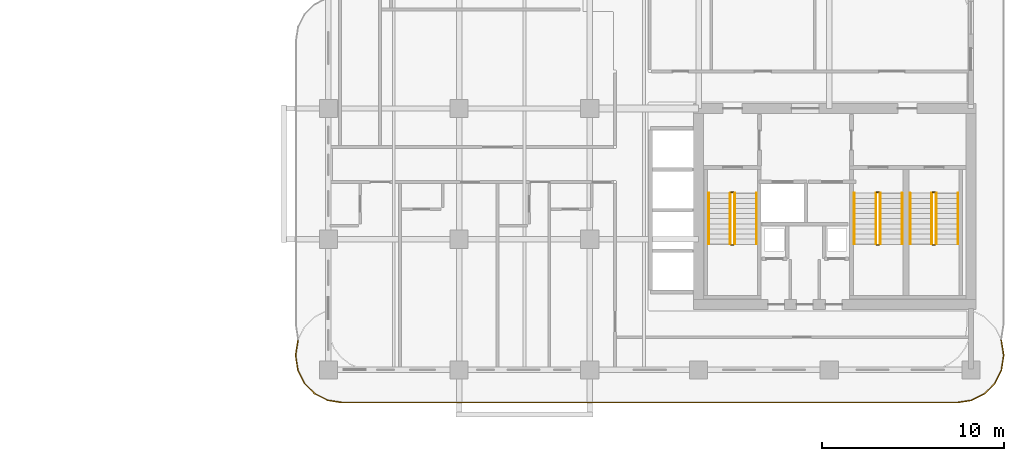
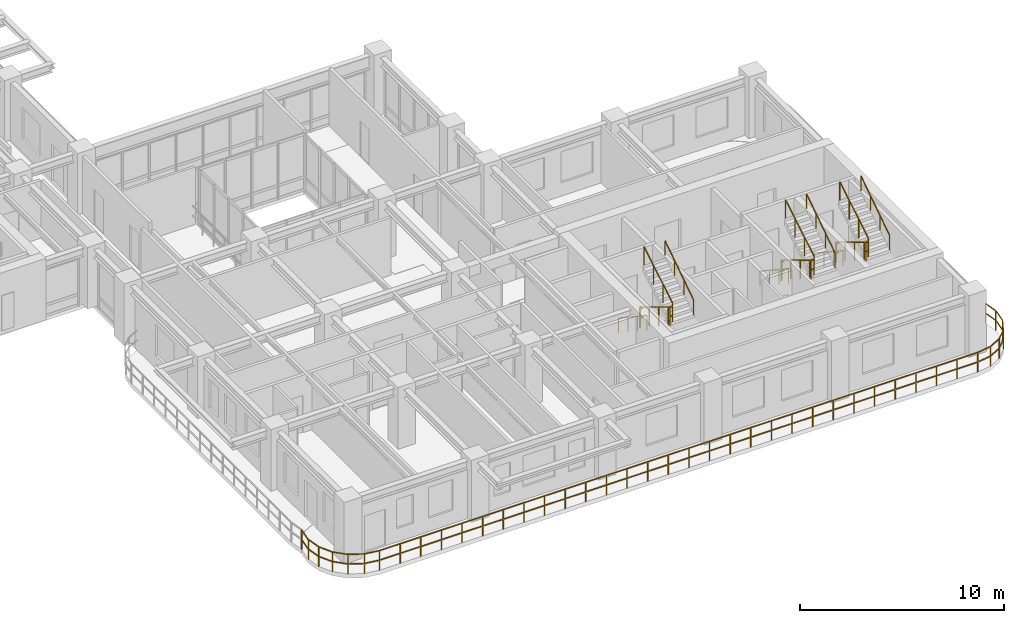
# One storey, part 18 of 20: 19 railings.
"""IFC4 building model written with IfcOpenShell, lengths in metres."""

from ifc_helpers import new_model, si_unit, derived_unit, direction, frame, origin, origin_2d, place, context, subcontext, project, spatial, rectangle, extrude, material, type_object, element, save


model = new_model("IFC4")

# Units and contexts
model_context = context("Model", 3, precision=1e-05, world=origin(), true_north=direction((0.0, 1.0)))
body_context = subcontext(model_context, "Body", "Model", "MODEL_VIEW")
ifc_project = project(units=[si_unit("LENGTHUNIT", "METRE"), si_unit("AREAUNIT", "SQUARE_METRE"), si_unit("VOLUMEUNIT", "CUBIC_METRE"), si_unit("PLANEANGLEUNIT", "RADIAN"), si_unit("MASSUNIT", "GRAM", prefix="KILO"), si_unit("THERMODYNAMICTEMPERATUREUNIT", "KELVIN"), si_unit("POWERUNIT", "WATT"), derived_unit("THERMALTRANSMITTANCEUNIT", [(si_unit("POWERUNIT", "WATT"), 1), (si_unit("AREAUNIT", "SQUARE_METRE"), -1), (si_unit("THERMODYNAMICTEMPERATUREUNIT", "KELVIN"), -1)])], contexts=[model_context])

# Site, building, storey
site_placement = place(None, origin())
site = spatial("IfcSite", under=ifc_project, at=site_placement, CompositionType="ELEMENT")
building_placement = place(site_placement, origin())
building = spatial("IfcBuilding", under=site, at=building_placement, Name="Zahravan Archway Hotel and Residences", CompositionType="ELEMENT")
storey_placement = place(building_placement, frame((0.0, 0.0, 126.60009765625)))
storey = spatial("IfcBuildingStorey", under=building, at=storey_placement, Name="L31", CompositionType="ELEMENT", Elevation=126.60009765625)

# Railings
ifc_material_1 = material(Name="Bronze & Laminated Glass Balustrade", Category="glass")
railing_type_1 = type_object("IfcRailingType", Name="RL-BAL-1200", PredefinedType="BALUSTRADE", material=ifc_material_1)
railing_1_placement = place(storey_placement, frame((51.47509765625, 1.637939453125, 0.0)))
element("IfcRailing", 1, at=railing_1_placement, inside=storey, type_object=railing_type_1, Name="L31 Balustrade RL-SLB-BAL-L31-SA-1", PredefinedType="BALUSTRADE", context=body_context, shape_type="SweptSolid", body=[
    extrude(rectangle(XDim=0.048095703125, YDim=0.048095703125, at=origin_2d()), frame((0.0, 0.0, 1.17578125), z_axis=(0.156701202656, -0.987646056584, 0.0), x_axis=(0.987646056584, 0.156701202656, 0.0)), (0.0, 0.0, 1.0), 0.797607421875),
    extrude(rectangle(XDim=0.048095703125, YDim=0.048095703125, at=origin_2d()), frame((0.0, 0.0, 0.60009765625), z_axis=(0.156701202656, -0.987646056584, 0.0), x_axis=(0.987646056584, 0.156701202656, 0.0)), (0.0, 0.0, 1.0), 0.797607421875),
    extrude(rectangle(XDim=0.048095703125, YDim=0.048095703125, at=origin_2d()), frame((0.125, -0.787841796875, 1.17578125), z_axis=(0.0, -1.0, 0.0), x_axis=(1.0, 0.0, 0.0)), (0.0, 0.0, 1.0), 0.10009765625),
    extrude(rectangle(XDim=0.048095703125, YDim=0.048095703125, at=origin_2d()), frame((0.125, -0.787841796875, 0.60009765625), z_axis=(0.0, -1.0, 0.0), x_axis=(1.0, 0.0, 0.0)), (0.0, 0.0, 1.0), 0.10009765625),
    extrude(rectangle(XDim=0.048095703125, YDim=0.048095703125, at=origin_2d()), frame((0.125, -0.887939453125, 1.17578125), z_axis=(-0.156653849773, -0.98765356849, 0.0), x_axis=(0.98765356849, -0.156653849773, 0.0)), (0.0, 0.0, 1.0), 0.7978515625),
    extrude(rectangle(XDim=0.048095703125, YDim=0.048095703125, at=origin_2d()), frame((0.125, -0.887939453125, 0.60009765625), z_axis=(-0.156653849773, -0.98765356849, 0.0), x_axis=(0.98765356849, -0.156653849773, 0.0)), (0.0, 0.0, 1.0), 0.7978515625),
    extrude(rectangle(XDim=0.048095703125, YDim=0.048095703125, at=origin_2d()), frame((0.0, -1.676025390625, 1.17578125), z_axis=(-0.453934952053, -0.891034824967, 0.0), x_axis=(0.891034824967, -0.453934952053, 0.0)), (0.0, 0.0, 1.0), 0.797607421875),
    extrude(rectangle(XDim=0.048095703125, YDim=0.048095703125, at=origin_2d()), frame((0.0, -1.676025390625, 0.60009765625), z_axis=(-0.453934952053, -0.891034824967, 0.0), x_axis=(0.891034824967, -0.453934952053, 0.0)), (0.0, 0.0, 1.0), 0.797607421875),
    extrude(rectangle(XDim=0.048095703125, YDim=0.048095703125, at=origin_2d()), frame((-0.362060546875, -2.38671875, 1.17578125), z_axis=(-0.707106781187, -0.707106781187, 0.0), x_axis=(0.707106781187, -0.707106781187, 0.0)), (0.0, 0.0, 1.0), 0.7978515625),
    extrude(rectangle(XDim=0.048095703125, YDim=0.048095703125, at=origin_2d()), frame((-0.362060546875, -2.38671875, 0.60009765625), z_axis=(-0.707106781187, -0.707106781187, 0.0), x_axis=(0.707106781187, -0.707106781187, 0.0)), (0.0, 0.0, 1.0), 0.7978515625),
    extrude(rectangle(XDim=0.048095703125, YDim=0.048095703125, at=origin_2d()), frame((-0.92626953125, -2.950927734375, 1.17578125), z_axis=(-0.890974108706, -0.454054113091, 0.0), x_axis=(0.454054113091, -0.890974108706, 0.0)), (0.0, 0.0, 1.0), 0.7978515625),
    extrude(rectangle(XDim=0.048095703125, YDim=0.048095703125, at=origin_2d()), frame((-0.92626953125, -2.950927734375, 0.60009765625), z_axis=(-0.890974108706, -0.454054113091, 0.0), x_axis=(0.454054113091, -0.890974108706, 0.0)), (0.0, 0.0, 1.0), 0.7978515625),
    extrude(rectangle(XDim=0.048095703125, YDim=0.048095703125, at=origin_2d()), frame((-1.63720703125, -3.313232421875, 1.17578125), z_axis=(-0.987693380745, -0.156402639467, 0.0), x_axis=(0.156402639467, -0.987693380745, 0.0)), (0.0, 0.0, 1.0), 0.797607421875),
    extrude(rectangle(XDim=0.048095703125, YDim=0.048095703125, at=origin_2d()), frame((-1.63720703125, -3.313232421875, 0.60009765625), z_axis=(-0.987693380745, -0.156402639467, 0.0), x_axis=(0.156402639467, -0.987693380745, 0.0)), (0.0, 0.0, 1.0), 0.797607421875),
    extrude(rectangle(XDim=0.048095703125, YDim=0.048095703125, at=origin_2d()), frame((-2.425048828125, -3.43798828125, 1.17578125), z_axis=(-1.0, 0.0, 0.0), x_axis=(0.0, -1.0, 0.0)), (0.0, 0.0, 1.0), 33.900146484375),
    extrude(rectangle(XDim=0.048095703125, YDim=0.048095703125, at=origin_2d()), frame((-2.425048828125, -3.43798828125, 0.60009765625), z_axis=(-1.0, 0.0, 0.0), x_axis=(0.0, -1.0, 0.0)), (0.0, 0.0, 1.0), 33.900146484375),
    extrude(rectangle(XDim=0.048095703125, YDim=0.048095703125, at=origin_2d()), frame((-36.3251953125, -3.43798828125, 1.17578125), z_axis=(-0.987693380745, 0.156402639467, 0.0), x_axis=(-0.156402639467, -0.987693380745, 0.0)), (0.0, 0.0, 1.0), 0.797607421875),
    extrude(rectangle(XDim=0.048095703125, YDim=0.048095703125, at=origin_2d()), frame((-36.3251953125, -3.43798828125, 0.60009765625), z_axis=(-0.987693380745, 0.156402639467, 0.0), x_axis=(-0.156402639467, -0.987693380745, 0.0)), (0.0, 0.0, 1.0), 0.797607421875),
    extrude(rectangle(XDim=0.048095703125, YDim=0.048095703125, at=origin_2d()), frame((-37.113037109375, -3.313232421875, 1.17578125), z_axis=(-0.890974108706, 0.454054113091, 0.0), x_axis=(-0.454054113091, -0.890974108706, 0.0)), (0.0, 0.0, 1.0), 0.7978515625),
    extrude(rectangle(XDim=0.048095703125, YDim=0.048095703125, at=origin_2d()), frame((-37.113037109375, -3.313232421875, 0.60009765625), z_axis=(-0.890974108706, 0.454054113091, 0.0), x_axis=(-0.454054113091, -0.890974108706, 0.0)), (0.0, 0.0, 1.0), 0.7978515625),
    extrude(rectangle(XDim=0.048095703125, YDim=0.048095703125, at=origin_2d()), frame((-37.823974609375, -2.950927734375, 1.17578125), z_axis=(-0.707106781187, 0.707106781187, 0.0), x_axis=(-0.707106781187, -0.707106781187, 0.0)), (0.0, 0.0, 1.0), 0.7978515625),
    extrude(rectangle(XDim=0.048095703125, YDim=0.048095703125, at=origin_2d()), frame((-37.823974609375, -2.950927734375, 0.60009765625), z_axis=(-0.707106781187, 0.707106781187, 0.0), x_axis=(-0.707106781187, -0.707106781187, 0.0)), (0.0, 0.0, 1.0), 0.7978515625),
    extrude(rectangle(XDim=0.048095703125, YDim=0.048095703125, at=origin_2d()), frame((-38.38818359375, -2.38671875, 1.17578125), z_axis=(-0.453934952053, 0.891034824967, 0.0), x_axis=(-0.891034824967, -0.453934952053, 0.0)), (0.0, 0.0, 1.0), 0.797607421875),
    extrude(rectangle(XDim=0.048095703125, YDim=0.048095703125, at=origin_2d()), frame((-38.38818359375, -2.38671875, 0.60009765625), z_axis=(-0.453934952053, 0.891034824967, 0.0), x_axis=(-0.891034824967, -0.453934952053, 0.0)), (0.0, 0.0, 1.0), 0.797607421875),
    extrude(rectangle(XDim=0.048095703125, YDim=0.048095703125, at=origin_2d()), frame((-38.750244140625, -1.676025390625, 1.17578125), z_axis=(-0.156355372278, 0.987700864412, 0.0), x_axis=(-0.987700864412, -0.156355372278, 0.0)), (0.0, 0.0, 1.0), 0.7978515625),
    extrude(rectangle(XDim=0.048095703125, YDim=0.048095703125, at=origin_2d()), frame((-38.750244140625, -1.676025390625, 0.60009765625), z_axis=(-0.156355372278, 0.987700864412, 0.0), x_axis=(-0.987700864412, -0.156355372278, 0.0)), (0.0, 0.0, 1.0), 0.7978515625),
    extrude(rectangle(XDim=0.048095703125, YDim=0.048095703125, at=origin_2d()), frame((-38.875, -0.887939453125, 1.17578125), z_axis=(0.0, 1.0, 0.0), x_axis=(-1.0, 0.0, 0.0)), (0.0, 0.0, 1.0), 0.10009765625),
    extrude(rectangle(XDim=0.048095703125, YDim=0.048095703125, at=origin_2d()), frame((-38.875, -0.887939453125, 0.60009765625), z_axis=(0.0, 1.0, 0.0), x_axis=(-1.0, 0.0, 0.0)), (0.0, 0.0, 1.0), 0.10009765625),
    extrude(rectangle(XDim=0.048095703125, YDim=0.048095703125, at=origin_2d()), frame((-38.875, -0.787841796875, 1.17578125), z_axis=(0.156402639467, 0.987693380745, 0.0), x_axis=(-0.987693380745, 0.156402639467, 0.0)), (0.0, 0.0, 1.0), 0.797607421875),
    extrude(rectangle(XDim=0.048095703125, YDim=0.048095703125, at=origin_2d()), frame((-38.875, -0.787841796875, 0.60009765625), z_axis=(0.156402639467, 0.987693380745, 0.0), x_axis=(-0.987693380745, 0.156402639467, 0.0)), (0.0, 0.0, 1.0), 0.797607421875),
    extrude(rectangle(XDim=0.0419921875, YDim=0.0419921875, at=origin_2d()), origin(), (0.0, 0.0, 1.0), 1.15185546875),
    extrude(rectangle(XDim=0.0419921875, YDim=0.0419921875, at=origin_2d()), frame((0.125, -0.787841796875, 0.0)), (0.0, 0.0, 1.0), 1.15185546875),
    extrude(rectangle(XDim=0.0419921875, YDim=0.0419921875, at=origin_2d()), frame((0.0, -1.676025390625, 0.0)), (0.0, 0.0, 1.0), 1.15185546875),
    extrude(rectangle(XDim=0.0419921875, YDim=0.0419921875, at=origin_2d()), frame((-0.362060546875, -2.38671875, 0.0)), (0.0, 0.0, 1.0), 1.15185546875),
    extrude(rectangle(XDim=0.0419921875, YDim=0.0419921875, at=origin_2d()), frame((-0.92626953125, -2.950927734375, 0.0)), (0.0, 0.0, 1.0), 1.15185546875),
    extrude(rectangle(XDim=0.0419921875, YDim=0.0419921875, at=origin_2d()), frame((-1.63720703125, -3.313232421875, 0.0)), (0.0, 0.0, 1.0), 1.15185546875),
    extrude(rectangle(XDim=0.0419921875, YDim=0.0419921875, at=origin_2d()), frame((-2.425048828125, -3.43798828125, 0.0)), (0.0, 0.0, 1.0), 1.15185546875),
    extrude(rectangle(XDim=0.0419921875, YDim=0.0419921875, at=origin_2d()), frame((-3.593994140625, -3.43798828125, 0.0)), (0.0, 0.0, 1.0), 1.15185546875),
    extrude(rectangle(XDim=0.0419921875, YDim=0.0419921875, at=origin_2d()), frame((-4.762939453125, -3.43798828125, 0.0)), (0.0, 0.0, 1.0), 1.15185546875),
    extrude(rectangle(XDim=0.0419921875, YDim=0.0419921875, at=origin_2d()), frame((-5.931884765625, -3.43798828125, 0.0)), (0.0, 0.0, 1.0), 1.15185546875),
    extrude(rectangle(XDim=0.0419921875, YDim=0.0419921875, at=origin_2d()), frame((-7.100830078125, -3.43798828125, 0.0)), (0.0, 0.0, 1.0), 1.15185546875),
    extrude(rectangle(XDim=0.0419921875, YDim=0.0419921875, at=origin_2d()), frame((-8.27001953125, -3.43798828125, 0.0)), (0.0, 0.0, 1.0), 1.15185546875),
    extrude(rectangle(XDim=0.0419921875, YDim=0.0419921875, at=origin_2d()), frame((-9.43896484375, -3.43798828125, 0.0)), (0.0, 0.0, 1.0), 1.15185546875),
    extrude(rectangle(XDim=0.0419921875, YDim=0.0419921875, at=origin_2d()), frame((-10.60791015625, -3.43798828125, 0.0)), (0.0, 0.0, 1.0), 1.15185546875),
    extrude(rectangle(XDim=0.0419921875, YDim=0.0419921875, at=origin_2d()), frame((-11.77685546875, -3.43798828125, 0.0)), (0.0, 0.0, 1.0), 1.15185546875),
    extrude(rectangle(XDim=0.0419921875, YDim=0.0419921875, at=origin_2d()), frame((-12.94580078125, -3.43798828125, 0.0)), (0.0, 0.0, 1.0), 1.15185546875),
    extrude(rectangle(XDim=0.0419921875, YDim=0.0419921875, at=origin_2d()), frame((-14.11474609375, -3.43798828125, 0.0)), (0.0, 0.0, 1.0), 1.15185546875),
    extrude(rectangle(XDim=0.0419921875, YDim=0.0419921875, at=origin_2d()), frame((-15.28369140625, -3.43798828125, 0.0)), (0.0, 0.0, 1.0), 1.15185546875),
    extrude(rectangle(XDim=0.0419921875, YDim=0.0419921875, at=origin_2d()), frame((-16.45263671875, -3.43798828125, 0.0)), (0.0, 0.0, 1.0), 1.15185546875),
    extrude(rectangle(XDim=0.0419921875, YDim=0.0419921875, at=origin_2d()), frame((-17.62158203125, -3.43798828125, 0.0)), (0.0, 0.0, 1.0), 1.15185546875),
    extrude(rectangle(XDim=0.0419921875, YDim=0.0419921875, at=origin_2d()), frame((-18.79052734375, -3.43798828125, 0.0)), (0.0, 0.0, 1.0), 1.15185546875),
    extrude(rectangle(XDim=0.0419921875, YDim=0.0419921875, at=origin_2d()), frame((-19.959716796875, -3.43798828125, 0.0)), (0.0, 0.0, 1.0), 1.15185546875),
    extrude(rectangle(XDim=0.0419921875, YDim=0.0419921875, at=origin_2d()), frame((-21.128662109375, -3.43798828125, 0.0)), (0.0, 0.0, 1.0), 1.15185546875),
    extrude(rectangle(XDim=0.0419921875, YDim=0.0419921875, at=origin_2d()), frame((-22.297607421875, -3.43798828125, 0.0)), (0.0, 0.0, 1.0), 1.15185546875),
    extrude(rectangle(XDim=0.0419921875, YDim=0.0419921875, at=origin_2d()), frame((-23.466552734375, -3.43798828125, 0.0)), (0.0, 0.0, 1.0), 1.15185546875),
    extrude(rectangle(XDim=0.0419921875, YDim=0.0419921875, at=origin_2d()), frame((-24.635498046875, -3.43798828125, 0.0)), (0.0, 0.0, 1.0), 1.15185546875),
    extrude(rectangle(XDim=0.0419921875, YDim=0.0419921875, at=origin_2d()), frame((-25.804443359375, -3.43798828125, 0.0)), (0.0, 0.0, 1.0), 1.15185546875),
    extrude(rectangle(XDim=0.0419921875, YDim=0.0419921875, at=origin_2d()), frame((-26.973388671875, -3.43798828125, 0.0)), (0.0, 0.0, 1.0), 1.15185546875),
    extrude(rectangle(XDim=0.0419921875, YDim=0.0419921875, at=origin_2d()), frame((-28.142333984375, -3.43798828125, 0.0)), (0.0, 0.0, 1.0), 1.15185546875),
    extrude(rectangle(XDim=0.0419921875, YDim=0.0419921875, at=origin_2d()), frame((-29.311279296875, -3.43798828125, 0.0)), (0.0, 0.0, 1.0), 1.15185546875),
    extrude(rectangle(XDim=0.0419921875, YDim=0.0419921875, at=origin_2d()), frame((-30.480224609375, -3.43798828125, 0.0)), (0.0, 0.0, 1.0), 1.15185546875),
    extrude(rectangle(XDim=0.0419921875, YDim=0.0419921875, at=origin_2d()), frame((-31.6494140625, -3.43798828125, 0.0)), (0.0, 0.0, 1.0), 1.15185546875),
    extrude(rectangle(XDim=0.0419921875, YDim=0.0419921875, at=origin_2d()), frame((-32.818359375, -3.43798828125, 0.0)), (0.0, 0.0, 1.0), 1.15185546875),
    extrude(rectangle(XDim=0.0419921875, YDim=0.0419921875, at=origin_2d()), frame((-33.9873046875, -3.43798828125, 0.0)), (0.0, 0.0, 1.0), 1.15185546875),
    extrude(rectangle(XDim=0.0419921875, YDim=0.0419921875, at=origin_2d()), frame((-35.15625, -3.43798828125, 0.0)), (0.0, 0.0, 1.0), 1.15185546875),
    extrude(rectangle(XDim=0.0419921875, YDim=0.0419921875, at=origin_2d()), frame((-36.3251953125, -3.43798828125, 0.0)), (0.0, 0.0, 1.0), 1.15185546875),
    extrude(rectangle(XDim=0.0419921875, YDim=0.0419921875, at=origin_2d()), frame((-37.113037109375, -3.313232421875, 0.0)), (0.0, 0.0, 1.0), 1.15185546875),
    extrude(rectangle(XDim=0.0419921875, YDim=0.0419921875, at=origin_2d()), frame((-37.823974609375, -2.950927734375, 0.0)), (0.0, 0.0, 1.0), 1.15185546875),
    extrude(rectangle(XDim=0.0419921875, YDim=0.0419921875, at=origin_2d()), frame((-38.38818359375, -2.38671875, 0.0)), (0.0, 0.0, 1.0), 1.15185546875),
    extrude(rectangle(XDim=0.0419921875, YDim=0.0419921875, at=origin_2d()), frame((-38.750244140625, -1.676025390625, 0.0)), (0.0, 0.0, 1.0), 1.15185546875),
    extrude(rectangle(XDim=0.0419921875, YDim=0.0419921875, at=origin_2d()), frame((-38.875, -0.887939453125, 0.0)), (0.0, 0.0, 1.0), 1.15185546875),
    extrude(rectangle(XDim=0.0419921875, YDim=0.0419921875, at=origin_2d()), frame((-38.750244140625, 0.0, 0.0)), (0.0, 0.0, 1.0), 1.15185546875),
])
ifc_material_2 = material(Name="Painted Tubular Steel", Category="steel")
railing_type_2 = type_object("IfcRailingType", Name="RL-STG-1150", PredefinedType="GUARDRAIL", material=ifc_material_2)
railing_2_placement = place(storey_placement, frame((36.550048828125, 9.72998046875, 0.16796875)))
element("IfcRailing", 2, at=railing_2_placement, inside=storey, type_object=railing_type_2, Name="L31 ST-A1 stair guard 1", PredefinedType="GUARDRAIL", context=body_context, shape_type="SweptSolid", body=[
    extrude(rectangle(XDim=0.048095703125, YDim=0.048095703125, at=origin_2d()), frame((0.0, 0.0, 1.1259765625), z_axis=(0.0, -0.857242210791, 0.514913383045), x_axis=(1.0, 0.0, 0.0)), (0.0, 0.0, 1.0), 3.266357421875),
    extrude(rectangle(XDim=0.0419921875, YDim=0.0419921875, at=origin_2d()), origin(), (0.0, 0.0, 1.0), 1.101806640625),
    extrude(rectangle(XDim=0.0419921875, YDim=0.0419921875, at=origin_2d()), frame((0.0, -0.933349609375, 0.560546875)), (0.0, 0.0, 1.0), 1.101806640625),
    extrude(rectangle(XDim=0.0419921875, YDim=0.0419921875, at=origin_2d()), frame((0.0, -1.86669921875, 1.121337890625)), (0.0, 0.0, 1.0), 1.101806640625),
    extrude(rectangle(XDim=0.0419921875, YDim=0.0419921875, at=origin_2d()), frame((0.0, -2.800048828125, 1.681884765625)), (0.0, 0.0, 1.0), 1.101806640625),
])
railing_3_placement = place(storey_placement, frame((36.60009765625, 6.8798828125, 1.849853515625)))
element("IfcRailing", 3, at=railing_3_placement, inside=storey, type_object=railing_type_2, Name="L31 ST-A1 stair guard 2", PredefinedType="GUARDRAIL", context=body_context, shape_type="SweptSolid", body=[
    extrude(rectangle(XDim=0.048095703125, YDim=0.048095703125, at=origin_2d()), frame((0.0, 0.0, 1.1259765625), z_axis=(1.0, 0.0, 0.0), x_axis=(0.0, 1.0, 0.0)), (0.0, 0.0, 1.0), 0.139892578125),
    extrude(rectangle(XDim=0.048095703125, YDim=0.048095703125, at=origin_2d()), frame((0.0, 0.0, 0.574951171875), z_axis=(1.0, 0.0, 0.0), x_axis=(0.0, 1.0, 0.0)), (0.0, 0.0, 1.0), 0.139892578125),
    extrude(rectangle(XDim=0.0419921875, YDim=0.0419921875, at=origin_2d()), origin(), (0.0, 0.0, 1.0), 1.101806640625),
])
railing_4_placement = place(storey_placement, frame((36.7900390625, 6.929931640625, 2.01806640625)))
element("IfcRailing", 4, at=railing_4_placement, inside=storey, type_object=railing_type_2, Name="L31 ST-A1 stair guard 3", PredefinedType="GUARDRAIL", context=body_context, shape_type="SweptSolid", body=[
    extrude(rectangle(XDim=0.048095703125, YDim=0.048095703125, at=origin_2d()), frame((0.0, 0.0, 1.1259765625), z_axis=(0.0, 0.857242210791, 0.514913383045), x_axis=(-1.0, 0.0, 0.0)), (0.0, 0.0, 1.0), 3.266357421875),
    extrude(rectangle(XDim=0.0419921875, YDim=0.0419921875, at=origin_2d()), origin(), (0.0, 0.0, 1.0), 1.101806640625),
    extrude(rectangle(XDim=0.0419921875, YDim=0.0419921875, at=origin_2d()), frame((0.0, 0.933349609375, 0.560546875)), (0.0, 0.0, 1.0), 1.101806640625),
    extrude(rectangle(XDim=0.0419921875, YDim=0.0419921875, at=origin_2d()), frame((0.0, 1.86669921875, 1.121337890625)), (0.0, 0.0, 1.0), 1.101806640625),
    extrude(rectangle(XDim=0.0419921875, YDim=0.0419921875, at=origin_2d()), frame((0.0, 2.800048828125, 1.681884765625)), (0.0, 0.0, 1.0), 1.101806640625),
])
railing_5_placement = place(storey_placement, frame((36.60009765625, 9.780029296875, 0.0)))
element("IfcRailing", 5, at=railing_5_placement, inside=storey, type_object=railing_type_2, Name="L31 ST-A1 stair guard 4", PredefinedType="GUARDRAIL", context=body_context, shape_type="SweptSolid", body=[
    extrude(rectangle(XDim=0.048095703125, YDim=0.048095703125, at=origin_2d()), frame((0.0, 0.0, 1.1259765625), z_axis=(1.0, 0.0, 0.0), x_axis=(0.0, 1.0, 0.0)), (0.0, 0.0, 1.0), 0.139892578125),
    extrude(rectangle(XDim=0.048095703125, YDim=0.048095703125, at=origin_2d()), frame((0.0, 0.0, 0.574951171875), z_axis=(1.0, 0.0, 0.0), x_axis=(0.0, 1.0, 0.0)), (0.0, 0.0, 1.0), 0.139892578125),
    extrude(rectangle(XDim=0.0419921875, YDim=0.0419921875, at=origin_2d()), origin(), (0.0, 0.0, 1.0), 1.101806640625),
])
railing_6_placement = place(storey_placement, frame((44.570068359375, 9.72998046875, 0.16796875)))
element("IfcRailing", 6, at=railing_6_placement, inside=storey, type_object=railing_type_2, Name="L31 ST-A2 stair guard 1", PredefinedType="GUARDRAIL", context=body_context, shape_type="SweptSolid", body=[
    extrude(rectangle(XDim=0.048095703125, YDim=0.048095703125, at=origin_2d()), frame((0.0, 0.0, 1.1259765625), z_axis=(0.0, -0.857242210791, 0.514913383045), x_axis=(1.0, 0.0, 0.0)), (0.0, 0.0, 1.0), 3.266357421875),
    extrude(rectangle(XDim=0.0419921875, YDim=0.0419921875, at=origin_2d()), origin(), (0.0, 0.0, 1.0), 1.101806640625),
    extrude(rectangle(XDim=0.0419921875, YDim=0.0419921875, at=origin_2d()), frame((0.0, -0.933349609375, 0.560546875)), (0.0, 0.0, 1.0), 1.101806640625),
    extrude(rectangle(XDim=0.0419921875, YDim=0.0419921875, at=origin_2d()), frame((0.0, -1.86669921875, 1.121337890625)), (0.0, 0.0, 1.0), 1.101806640625),
    extrude(rectangle(XDim=0.0419921875, YDim=0.0419921875, at=origin_2d()), frame((0.0, -2.800048828125, 1.681884765625)), (0.0, 0.0, 1.0), 1.101806640625),
])
railing_7_placement = place(storey_placement, frame((44.6201171875, 6.8798828125, 1.849853515625)))
element("IfcRailing", 7, at=railing_7_placement, inside=storey, type_object=railing_type_2, Name="L31 ST-A2 stair guard 2", PredefinedType="GUARDRAIL", context=body_context, shape_type="SweptSolid", body=[
    extrude(rectangle(XDim=0.048095703125, YDim=0.048095703125, at=origin_2d()), frame((0.0, 0.0, 1.1259765625), z_axis=(1.0, 0.0, 0.0), x_axis=(0.0, 1.0, 0.0)), (0.0, 0.0, 1.0), 0.139892578125),
    extrude(rectangle(XDim=0.048095703125, YDim=0.048095703125, at=origin_2d()), frame((0.0, 0.0, 0.574951171875), z_axis=(1.0, 0.0, 0.0), x_axis=(0.0, 1.0, 0.0)), (0.0, 0.0, 1.0), 0.139892578125),
    extrude(rectangle(XDim=0.0419921875, YDim=0.0419921875, at=origin_2d()), origin(), (0.0, 0.0, 1.0), 1.101806640625),
])
railing_8_placement = place(storey_placement, frame((44.81005859375, 6.929931640625, 2.01806640625)))
element("IfcRailing", 8, at=railing_8_placement, inside=storey, type_object=railing_type_2, Name="L31 ST-A2 stair guard 3", PredefinedType="GUARDRAIL", context=body_context, shape_type="SweptSolid", body=[
    extrude(rectangle(XDim=0.048095703125, YDim=0.048095703125, at=origin_2d()), frame((0.0, 0.0, 1.1259765625), z_axis=(0.0, 0.857242210791, 0.514913383045), x_axis=(-1.0, 0.0, 0.0)), (0.0, 0.0, 1.0), 3.266357421875),
    extrude(rectangle(XDim=0.0419921875, YDim=0.0419921875, at=origin_2d()), origin(), (0.0, 0.0, 1.0), 1.101806640625),
    extrude(rectangle(XDim=0.0419921875, YDim=0.0419921875, at=origin_2d()), frame((0.0, 0.933349609375, 0.560546875)), (0.0, 0.0, 1.0), 1.101806640625),
    extrude(rectangle(XDim=0.0419921875, YDim=0.0419921875, at=origin_2d()), frame((0.0, 1.86669921875, 1.121337890625)), (0.0, 0.0, 1.0), 1.101806640625),
    extrude(rectangle(XDim=0.0419921875, YDim=0.0419921875, at=origin_2d()), frame((0.0, 2.800048828125, 1.681884765625)), (0.0, 0.0, 1.0), 1.101806640625),
])
railing_9_placement = place(storey_placement, frame((44.6201171875, 9.780029296875, 0.0)))
element("IfcRailing", 9, at=railing_9_placement, inside=storey, type_object=railing_type_2, Name="L31 ST-A2 stair guard 4", PredefinedType="GUARDRAIL", context=body_context, shape_type="SweptSolid", body=[
    extrude(rectangle(XDim=0.048095703125, YDim=0.048095703125, at=origin_2d()), frame((0.0, 0.0, 1.1259765625), z_axis=(1.0, 0.0, 0.0), x_axis=(0.0, 1.0, 0.0)), (0.0, 0.0, 1.0), 0.139892578125),
    extrude(rectangle(XDim=0.048095703125, YDim=0.048095703125, at=origin_2d()), frame((0.0, 0.0, 0.574951171875), z_axis=(1.0, 0.0, 0.0), x_axis=(0.0, 1.0, 0.0)), (0.0, 0.0, 1.0), 0.139892578125),
    extrude(rectangle(XDim=0.0419921875, YDim=0.0419921875, at=origin_2d()), origin(), (0.0, 0.0, 1.0), 1.101806640625),
])
railing_10_placement = place(storey_placement, frame((47.64990234375, 9.72998046875, 0.16796875)))
element("IfcRailing", 10, at=railing_10_placement, inside=storey, type_object=railing_type_2, Name="L31 ST-A3 stair guard 1", PredefinedType="GUARDRAIL", context=body_context, shape_type="SweptSolid", body=[
    extrude(rectangle(XDim=0.048095703125, YDim=0.048095703125, at=origin_2d()), frame((0.0, 0.0, 1.1259765625), z_axis=(0.0, -0.857242210791, 0.514913383045), x_axis=(1.0, 0.0, 0.0)), (0.0, 0.0, 1.0), 3.266357421875),
    extrude(rectangle(XDim=0.0419921875, YDim=0.0419921875, at=origin_2d()), origin(), (0.0, 0.0, 1.0), 1.101806640625),
    extrude(rectangle(XDim=0.0419921875, YDim=0.0419921875, at=origin_2d()), frame((0.0, -0.933349609375, 0.560546875)), (0.0, 0.0, 1.0), 1.101806640625),
    extrude(rectangle(XDim=0.0419921875, YDim=0.0419921875, at=origin_2d()), frame((0.0, -1.86669921875, 1.121337890625)), (0.0, 0.0, 1.0), 1.101806640625),
    extrude(rectangle(XDim=0.0419921875, YDim=0.0419921875, at=origin_2d()), frame((0.0, -2.800048828125, 1.681884765625)), (0.0, 0.0, 1.0), 1.101806640625),
])
railing_11_placement = place(storey_placement, frame((47.699951171875, 6.8798828125, 1.849853515625)))
element("IfcRailing", 11, at=railing_11_placement, inside=storey, type_object=railing_type_2, Name="L31 ST-A3 stair guard 2", PredefinedType="GUARDRAIL", context=body_context, shape_type="SweptSolid", body=[
    extrude(rectangle(XDim=0.048095703125, YDim=0.048095703125, at=origin_2d()), frame((0.0, 0.0, 1.1259765625), z_axis=(1.0, 0.0, 0.0), x_axis=(0.0, 1.0, 0.0)), (0.0, 0.0, 1.0), 0.14013671875),
    extrude(rectangle(XDim=0.048095703125, YDim=0.048095703125, at=origin_2d()), frame((0.0, 0.0, 0.574951171875), z_axis=(1.0, 0.0, 0.0), x_axis=(0.0, 1.0, 0.0)), (0.0, 0.0, 1.0), 0.14013671875),
    extrude(rectangle(XDim=0.0419921875, YDim=0.0419921875, at=origin_2d()), origin(), (0.0, 0.0, 1.0), 1.101806640625),
])
railing_12_placement = place(storey_placement, frame((47.889892578125, 6.929931640625, 2.01806640625)))
element("IfcRailing", 12, at=railing_12_placement, inside=storey, type_object=railing_type_2, Name="L31 ST-A3 stair guard 3", PredefinedType="GUARDRAIL", context=body_context, shape_type="SweptSolid", body=[
    extrude(rectangle(XDim=0.048095703125, YDim=0.048095703125, at=origin_2d()), frame((0.0, 0.0, 1.1259765625), z_axis=(0.0, 0.857242210791, 0.514913383045), x_axis=(-1.0, 0.0, 0.0)), (0.0, 0.0, 1.0), 3.266357421875),
    extrude(rectangle(XDim=0.0419921875, YDim=0.0419921875, at=origin_2d()), origin(), (0.0, 0.0, 1.0), 1.101806640625),
    extrude(rectangle(XDim=0.0419921875, YDim=0.0419921875, at=origin_2d()), frame((0.0, 0.933349609375, 0.560546875)), (0.0, 0.0, 1.0), 1.101806640625),
    extrude(rectangle(XDim=0.0419921875, YDim=0.0419921875, at=origin_2d()), frame((0.0, 1.86669921875, 1.121337890625)), (0.0, 0.0, 1.0), 1.101806640625),
    extrude(rectangle(XDim=0.0419921875, YDim=0.0419921875, at=origin_2d()), frame((0.0, 2.800048828125, 1.681884765625)), (0.0, 0.0, 1.0), 1.101806640625),
])
railing_13_placement = place(storey_placement, frame((47.699951171875, 9.780029296875, 0.0)))
element("IfcRailing", 13, at=railing_13_placement, inside=storey, type_object=railing_type_2, Name="L31 ST-A3 stair guard 4", PredefinedType="GUARDRAIL", context=body_context, shape_type="SweptSolid", body=[
    extrude(rectangle(XDim=0.048095703125, YDim=0.048095703125, at=origin_2d()), frame((0.0, 0.0, 1.1259765625), z_axis=(1.0, 0.0, 0.0), x_axis=(0.0, 1.0, 0.0)), (0.0, 0.0, 1.0), 0.14013671875),
    extrude(rectangle(XDim=0.048095703125, YDim=0.048095703125, at=origin_2d()), frame((0.0, 0.0, 0.574951171875), z_axis=(1.0, 0.0, 0.0), x_axis=(0.0, 1.0, 0.0)), (0.0, 0.0, 1.0), 0.14013671875),
    extrude(rectangle(XDim=0.0419921875, YDim=0.0419921875, at=origin_2d()), origin(), (0.0, 0.0, 1.0), 1.101806640625),
])
ifc_material_3 = material(Name="Brushed Stainless Steel", Category="steel")
railing_type_3 = type_object("IfcRailingType", Name="RL-STH-900", PredefinedType="HANDRAIL", material=ifc_material_3)
railing_14_placement = place(storey_placement, frame((35.35009765625, 9.72998046875, 0.16796875)))
element("IfcRailing", 14, at=railing_14_placement, inside=storey, type_object=railing_type_3, Name="L31 ST-A1 stair handrail 1", PredefinedType="HANDRAIL", context=body_context, shape_type="SweptSolid", body=[
    extrude(rectangle(XDim=0.048095703125, YDim=0.048095703125, at=origin_2d()), frame((0.0, 0.0, 0.8759765625), z_axis=(0.0, -0.834326358476, 0.551270829586), x_axis=(1.0, 0.0, 0.0)), (0.0, 0.0, 1.0), 3.35595703125),
    extrude(rectangle(XDim=0.0419921875, YDim=0.0419921875, at=origin_2d()), origin(), (0.0, 0.0, 1.0), 0.851806640625),
    extrude(rectangle(XDim=0.0419921875, YDim=0.0419921875, at=origin_2d()), frame((0.0, -0.933349609375, 0.61669921875)), (0.0, 0.0, 1.0), 0.851806640625),
    extrude(rectangle(XDim=0.0419921875, YDim=0.0419921875, at=origin_2d()), frame((0.0, -1.86669921875, 1.2333984375)), (0.0, 0.0, 1.0), 0.851806640625),
    extrude(rectangle(XDim=0.0419921875, YDim=0.0419921875, at=origin_2d()), frame((0.0, -2.800048828125, 1.85009765625)), (0.0, 0.0, 1.0), 0.851806640625),
])
railing_15_placement = place(storey_placement, frame((37.989990234375, 6.929931640625, 2.01806640625)))
element("IfcRailing", 15, at=railing_15_placement, inside=storey, type_object=railing_type_3, Name="L31 ST-A1 stair handrail 2", PredefinedType="HANDRAIL", context=body_context, shape_type="SweptSolid", body=[
    extrude(rectangle(XDim=0.048095703125, YDim=0.048095703125, at=origin_2d()), frame((0.0, 0.0, 0.8759765625), z_axis=(0.0, 0.834326358476, 0.551270829586), x_axis=(-1.0, 0.0, 0.0)), (0.0, 0.0, 1.0), 3.35595703125),
    extrude(rectangle(XDim=0.0419921875, YDim=0.0419921875, at=origin_2d()), origin(), (0.0, 0.0, 1.0), 0.851806640625),
    extrude(rectangle(XDim=0.0419921875, YDim=0.0419921875, at=origin_2d()), frame((0.0, 0.933349609375, 0.61669921875)), (0.0, 0.0, 1.0), 0.851806640625),
    extrude(rectangle(XDim=0.0419921875, YDim=0.0419921875, at=origin_2d()), frame((0.0, 1.86669921875, 1.2333984375)), (0.0, 0.0, 1.0), 0.851806640625),
    extrude(rectangle(XDim=0.0419921875, YDim=0.0419921875, at=origin_2d()), frame((0.0, 2.800048828125, 1.85009765625)), (0.0, 0.0, 1.0), 0.851806640625),
])
railing_16_placement = place(storey_placement, frame((43.3701171875, 9.72998046875, 0.16796875)))
element("IfcRailing", 16, at=railing_16_placement, inside=storey, type_object=railing_type_3, Name="L31 ST-A2 stair handrail 1", PredefinedType="HANDRAIL", context=body_context, shape_type="SweptSolid", body=[
    extrude(rectangle(XDim=0.048095703125, YDim=0.048095703125, at=origin_2d()), frame((0.0, 0.0, 0.8759765625), z_axis=(0.0, -0.834326358476, 0.551270829586), x_axis=(1.0, 0.0, 0.0)), (0.0, 0.0, 1.0), 3.35595703125),
    extrude(rectangle(XDim=0.0419921875, YDim=0.0419921875, at=origin_2d()), origin(), (0.0, 0.0, 1.0), 0.851806640625),
    extrude(rectangle(XDim=0.0419921875, YDim=0.0419921875, at=origin_2d()), frame((0.0, -0.933349609375, 0.61669921875)), (0.0, 0.0, 1.0), 0.851806640625),
    extrude(rectangle(XDim=0.0419921875, YDim=0.0419921875, at=origin_2d()), frame((0.0, -1.86669921875, 1.2333984375)), (0.0, 0.0, 1.0), 0.851806640625),
    extrude(rectangle(XDim=0.0419921875, YDim=0.0419921875, at=origin_2d()), frame((0.0, -2.800048828125, 1.85009765625)), (0.0, 0.0, 1.0), 0.851806640625),
])
railing_17_placement = place(storey_placement, frame((46.010009765625, 6.929931640625, 2.01806640625)))
element("IfcRailing", 17, at=railing_17_placement, inside=storey, type_object=railing_type_3, Name="L31 ST-A2 stair handrail 2", PredefinedType="HANDRAIL", context=body_context, shape_type="SweptSolid", body=[
    extrude(rectangle(XDim=0.048095703125, YDim=0.048095703125, at=origin_2d()), frame((0.0, 0.0, 0.8759765625), z_axis=(0.0, 0.834326358476, 0.551270829586), x_axis=(-1.0, 0.0, 0.0)), (0.0, 0.0, 1.0), 3.35595703125),
    extrude(rectangle(XDim=0.0419921875, YDim=0.0419921875, at=origin_2d()), origin(), (0.0, 0.0, 1.0), 0.851806640625),
    extrude(rectangle(XDim=0.0419921875, YDim=0.0419921875, at=origin_2d()), frame((0.0, 0.933349609375, 0.61669921875)), (0.0, 0.0, 1.0), 0.851806640625),
    extrude(rectangle(XDim=0.0419921875, YDim=0.0419921875, at=origin_2d()), frame((0.0, 1.86669921875, 1.2333984375)), (0.0, 0.0, 1.0), 0.851806640625),
    extrude(rectangle(XDim=0.0419921875, YDim=0.0419921875, at=origin_2d()), frame((0.0, 2.800048828125, 1.85009765625)), (0.0, 0.0, 1.0), 0.851806640625),
])
railing_18_placement = place(storey_placement, frame((46.449951171875, 9.72998046875, 0.16796875)))
element("IfcRailing", 18, at=railing_18_placement, inside=storey, type_object=railing_type_3, Name="L31 ST-A3 stair handrail 1", PredefinedType="HANDRAIL", context=body_context, shape_type="SweptSolid", body=[
    extrude(rectangle(XDim=0.048095703125, YDim=0.048095703125, at=origin_2d()), frame((0.0, 0.0, 0.8759765625), z_axis=(0.0, -0.834326358476, 0.551270829586), x_axis=(1.0, 0.0, 0.0)), (0.0, 0.0, 1.0), 3.35595703125),
    extrude(rectangle(XDim=0.0419921875, YDim=0.0419921875, at=origin_2d()), origin(), (0.0, 0.0, 1.0), 0.851806640625),
    extrude(rectangle(XDim=0.0419921875, YDim=0.0419921875, at=origin_2d()), frame((0.0, -0.933349609375, 0.61669921875)), (0.0, 0.0, 1.0), 0.851806640625),
    extrude(rectangle(XDim=0.0419921875, YDim=0.0419921875, at=origin_2d()), frame((0.0, -1.86669921875, 1.2333984375)), (0.0, 0.0, 1.0), 0.851806640625),
    extrude(rectangle(XDim=0.0419921875, YDim=0.0419921875, at=origin_2d()), frame((0.0, -2.800048828125, 1.85009765625)), (0.0, 0.0, 1.0), 0.851806640625),
])
railing_19_placement = place(storey_placement, frame((49.090087890625, 6.929931640625, 2.01806640625)))
element("IfcRailing", 19, at=railing_19_placement, inside=storey, type_object=railing_type_3, Name="L31 ST-A3 stair handrail 2", PredefinedType="HANDRAIL", context=body_context, shape_type="SweptSolid", body=[
    extrude(rectangle(XDim=0.048095703125, YDim=0.048095703125, at=origin_2d()), frame((0.0, 0.0, 0.8759765625), z_axis=(0.0, 0.834326358476, 0.551270829586), x_axis=(-1.0, 0.0, 0.0)), (0.0, 0.0, 1.0), 3.35595703125),
    extrude(rectangle(XDim=0.0419921875, YDim=0.0419921875, at=origin_2d()), origin(), (0.0, 0.0, 1.0), 0.851806640625),
    extrude(rectangle(XDim=0.0419921875, YDim=0.0419921875, at=origin_2d()), frame((0.0, 0.933349609375, 0.61669921875)), (0.0, 0.0, 1.0), 0.851806640625),
    extrude(rectangle(XDim=0.0419921875, YDim=0.0419921875, at=origin_2d()), frame((0.0, 1.86669921875, 1.2333984375)), (0.0, 0.0, 1.0), 0.851806640625),
    extrude(rectangle(XDim=0.0419921875, YDim=0.0419921875, at=origin_2d()), frame((0.0, 2.800048828125, 1.85009765625)), (0.0, 0.0, 1.0), 0.851806640625),
])

save(model, "model.ifc")
